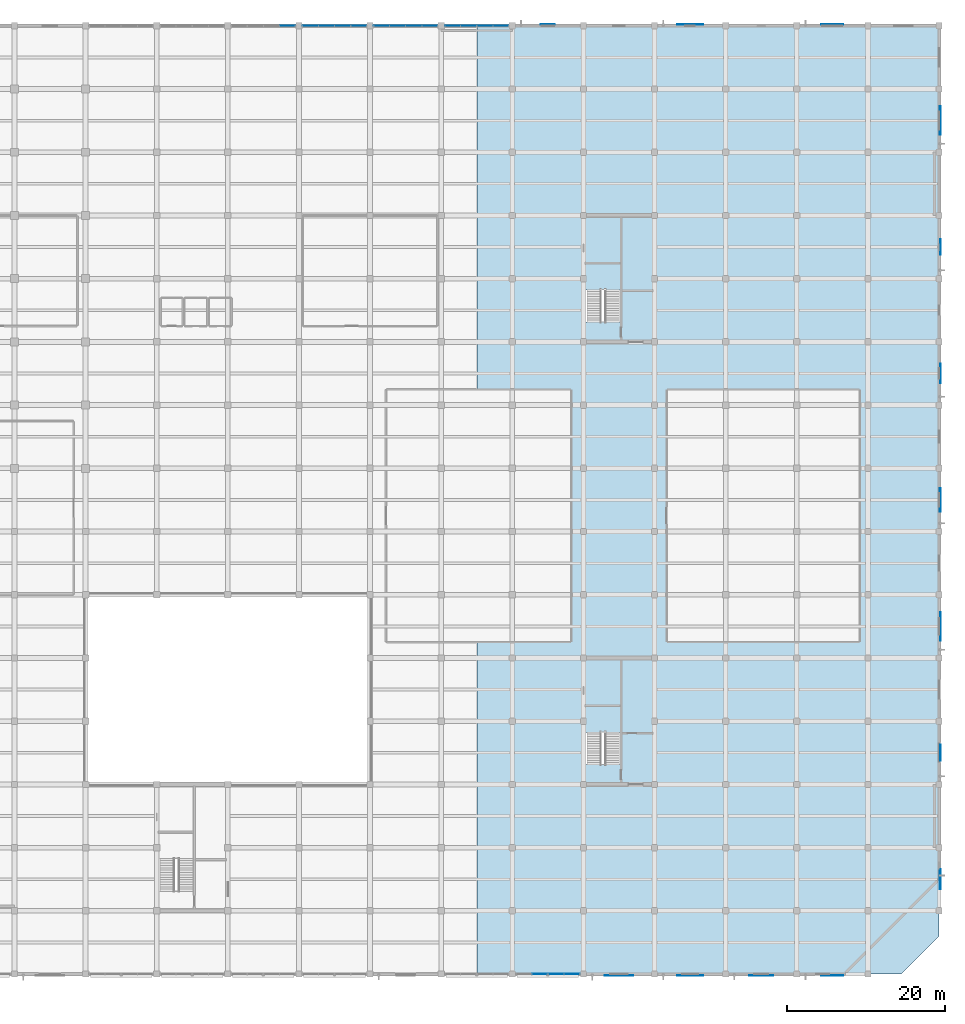
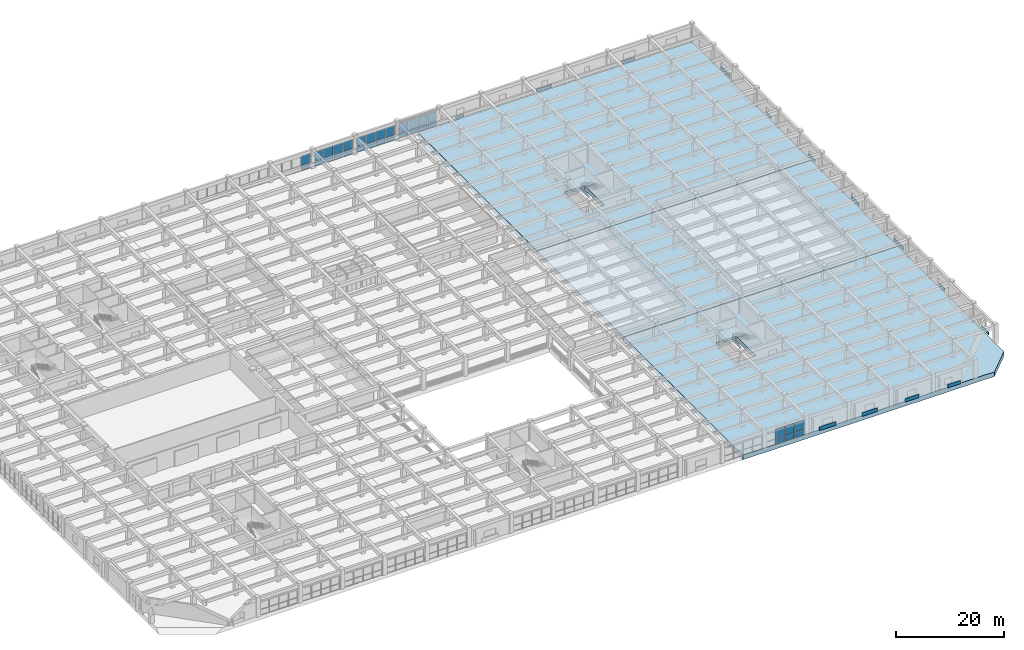
# One storey, part 24 of 50: 46 plates, 5 slabs, 7 elements without a shape of their own.
"""IFC4 building model written with IfcOpenShell, lengths in metres."""

from ifc_helpers import new_model, si_unit, direction, frame, frame_2d, origin, place, context, subcontext, project, spatial, polyline, rectangle, outline, extrude, material, layer, layer_set, type_object, element, aggregate, save


model = new_model("IFC4")

# Units and contexts
model_context = context("Model", 3, precision=1e-05, world=origin(), true_north=direction((0.0, 1.0)))
body_context = subcontext(model_context, "Body", "Model", "MODEL_VIEW")
ifc_project = project(units=[si_unit("LENGTHUNIT", "METRE"), si_unit("AREAUNIT", "SQUARE_METRE"), si_unit("VOLUMEUNIT", "CUBIC_METRE"), si_unit("PLANEANGLEUNIT", "RADIAN"), si_unit("MASSUNIT", "GRAM", prefix="KILO")], contexts=[model_context])

# Site, building, storey
site_placement = place(None, origin())
site = spatial("IfcSite", under=ifc_project, at=site_placement, CompositionType="ELEMENT")
building_placement = place(site_placement, origin())
building = spatial("IfcBuilding", under=site, at=building_placement, Name="Zaverband Oceanarium and Marine Research Institute", CompositionType="ELEMENT")
storey_placement = place(building_placement, frame((0.0, 0.0, 4.5)))
storey = spatial("IfcBuildingStorey", under=building, at=storey_placement, Name="L01", CompositionType="ELEMENT", Elevation=4.5)

# Curtain wall, plates
ifc_material_1 = material(Name="Thermally broken anodized aluminium and solar-control glass", Category="aluminium")
curtain_wall_type = type_object("IfcCurtainWallType", Name="CW-UNIT-1800", PredefinedType="NOTDEFINED", material=ifc_material_1)
curtain_wall_1_placement = place(storey_placement, origin())
curtain_wall_1 = element("IfcCurtainWall", 1, at=curtain_wall_1_placement, inside=storey, type_object=curtain_wall_type, Name="Unitised glazed curtain wall CW-022", PredefinedType="NOTDEFINED")
ifc_material_2 = material(Name="Low-E double-glazed solar-control glass", Category="glass")
ifc_layer_1 = layer(ifc_material_2, 0.033935546875, Name="Low-E double-glazed solar-control glass")
ifc_layer_set_1 = layer_set([ifc_layer_1], Name="Low-E double-glazed solar-control glass")
plate_type_1 = type_object("IfcPlateType", Name="CWP-1765x1211", PredefinedType="CURTAIN_PANEL", material=ifc_layer_set_1)
plate_1_placement = place(storey_placement, frame((128.532470703125, 0.0, 0.050048828125), z_axis=(0.0, 0.0, 1.0), x_axis=(1.0, 0.0, 0.0)))
plate_1 = element("IfcPlate", 2, at=plate_1_placement, type_object=plate_type_1, Name="Glazed curtain wall panel CWP-1765x1211", PredefinedType="CURTAIN_PANEL", context=body_context, shape_type="SweptSolid", body=[
    extrude(rectangle(XDim=1.887451171875, YDim=0.033935546875, at=frame_2d((0.94384765625, 0.0))), origin(), (0.0, 0.0, 1.0), 1.2109375),
])
plate_2_placement = place(storey_placement, frame((130.580078125, 0.0, 0.050048828125), z_axis=(0.0, 0.0, 1.0), x_axis=(1.0, 0.0, 0.0)))
plate_2 = element("IfcPlate", 3, at=plate_2_placement, type_object=plate_type_1, Name="Glazed curtain wall panel CWP-1765x1211", PredefinedType="CURTAIN_PANEL", context=body_context, shape_type="SweptSolid", body=[
    extrude(rectangle(XDim=1.887451171875, YDim=0.033935546875, at=frame_2d((0.94384765625, 0.0))), origin(), (0.0, 0.0, 1.0), 1.2109375),
])
plate_3_placement = place(storey_placement, frame((132.62744140625, 0.0, 0.050048828125), z_axis=(0.0, 0.0, 1.0), x_axis=(1.0, 0.0, 0.0)))
plate_3 = element("IfcPlate", 4, at=plate_3_placement, type_object=plate_type_1, Name="Glazed curtain wall panel CWP-1765x1211", PredefinedType="CURTAIN_PANEL", context=body_context, shape_type="SweptSolid", body=[
    extrude(rectangle(XDim=1.887451171875, YDim=0.033935546875, at=frame_2d((0.94384765625, 0.0))), origin(), (0.0, 0.0, 1.0), 1.2109375),
])

# Curtain wall, plate
curtain_wall_2_placement = place(storey_placement, origin())
curtain_wall_2 = element("IfcCurtainWall", 5, at=curtain_wall_2_placement, inside=storey, type_object=curtain_wall_type, Name="Unitised glazed curtain wall CW-025", PredefinedType="NOTDEFINED")
plate_4_placement = place(storey_placement, frame((96.62744140625, 120.0, 0.050048828125), z_axis=(0.0, 0.0, 1.0), x_axis=(1.0, 0.0, 0.0)))
plate_4 = element("IfcPlate", 6, at=plate_4_placement, type_object=plate_type_1, Name="Glazed curtain wall panel CWP-1765x1211", PredefinedType="CURTAIN_PANEL", context=body_context, shape_type="SweptSolid", body=[
    extrude(rectangle(XDim=1.887451171875, YDim=0.033935546875, at=frame_2d((0.94384765625, 0.0))), origin(), (0.0, 0.0, 1.0), 1.2109375),
])

# Curtain wall, plates
curtain_wall_3_placement = place(storey_placement, origin())
curtain_wall_3 = element("IfcCurtainWall", 7, at=curtain_wall_3_placement, inside=storey, type_object=curtain_wall_type, Name="Unitised glazed curtain wall CW-026", PredefinedType="NOTDEFINED")
plate_5_placement = place(storey_placement, frame((99.485107421875, 120.0, 0.050048828125), z_axis=(0.0, 0.0, 1.0), x_axis=(1.0, 0.0, 0.0)))
plate_5 = element("IfcPlate", 8, at=plate_5_placement, type_object=plate_type_1, Name="Glazed curtain wall panel CWP-1765x1211", PredefinedType="CURTAIN_PANEL", context=body_context, shape_type="SweptSolid", body=[
    extrude(rectangle(XDim=1.887451171875, YDim=0.033935546875, at=frame_2d((0.94384765625, 0.0))), origin(), (0.0, 0.0, 1.0), 1.2109375),
])
plate_6_placement = place(storey_placement, frame((101.532470703125, 120.0, 0.050048828125), z_axis=(0.0, 0.0, 1.0), x_axis=(1.0, 0.0, 0.0)))
plate_6 = element("IfcPlate", 9, at=plate_6_placement, type_object=plate_type_1, Name="Glazed curtain wall panel CWP-1765x1211", PredefinedType="CURTAIN_PANEL", context=body_context, shape_type="SweptSolid", body=[
    extrude(rectangle(XDim=1.887451171875, YDim=0.033935546875, at=frame_2d((0.94384765625, 0.0))), origin(), (0.0, 0.0, 1.0), 1.2109375),
])
plate_7_placement = place(storey_placement, frame((103.580078125, 120.0, 0.050048828125), z_axis=(0.0, 0.0, 1.0), x_axis=(1.0, 0.0, 0.0)))
plate_7 = element("IfcPlate", 10, at=plate_7_placement, type_object=plate_type_1, Name="Glazed curtain wall panel CWP-1765x1211", PredefinedType="CURTAIN_PANEL", context=body_context, shape_type="SweptSolid", body=[
    extrude(rectangle(XDim=1.887451171875, YDim=0.033935546875, at=frame_2d((0.94384765625, 0.0))), origin(), (0.0, 0.0, 1.0), 1.2109375),
])
plate_8_placement = place(storey_placement, frame((105.62744140625, 120.0, 0.050048828125), z_axis=(0.0, 0.0, 1.0), x_axis=(1.0, 0.0, 0.0)))
plate_8 = element("IfcPlate", 11, at=plate_8_placement, type_object=plate_type_1, Name="Glazed curtain wall panel CWP-1765x1211", PredefinedType="CURTAIN_PANEL", context=body_context, shape_type="SweptSolid", body=[
    extrude(rectangle(XDim=1.887451171875, YDim=0.033935546875, at=frame_2d((0.94384765625, 0.0))), origin(), (0.0, 0.0, 1.0), 1.2109375),
])

curtain_wall_4_placement = place(storey_placement, origin())
curtain_wall_4 = element("IfcCurtainWall", 12, at=curtain_wall_4_placement, inside=storey, type_object=curtain_wall_type, Name="Unitised glazed curtain wall CW-027", PredefinedType="NOTDEFINED")
plate_9_placement = place(storey_placement, frame((108.485107421875, 120.0, 0.050048828125), z_axis=(0.0, 0.0, 1.0), x_axis=(1.0, 0.0, 0.0)))
plate_9 = element("IfcPlate", 13, at=plate_9_placement, type_object=plate_type_1, Name="Glazed curtain wall panel CWP-1765x1211", PredefinedType="CURTAIN_PANEL", context=body_context, shape_type="SweptSolid", body=[
    extrude(rectangle(XDim=1.887451171875, YDim=0.033935546875, at=frame_2d((0.94384765625, 0.0))), origin(), (0.0, 0.0, 1.0), 1.2109375),
])
plate_10_placement = place(storey_placement, frame((110.532470703125, 120.0, 0.050048828125), z_axis=(0.0, 0.0, 1.0), x_axis=(1.0, 0.0, 0.0)))
plate_10 = element("IfcPlate", 14, at=plate_10_placement, type_object=plate_type_1, Name="Glazed curtain wall panel CWP-1765x1211", PredefinedType="CURTAIN_PANEL", context=body_context, shape_type="SweptSolid", body=[
    extrude(rectangle(XDim=1.887451171875, YDim=0.033935546875, at=frame_2d((0.94384765625, 0.0))), origin(), (0.0, 0.0, 1.0), 1.2109375),
])
plate_11_placement = place(storey_placement, frame((112.580078125, 120.0, 0.050048828125), z_axis=(0.0, 0.0, 1.0), x_axis=(1.0, 0.0, 0.0)))
plate_11 = element("IfcPlate", 15, at=plate_11_placement, type_object=plate_type_1, Name="Glazed curtain wall panel CWP-1765x1211", PredefinedType="CURTAIN_PANEL", context=body_context, shape_type="SweptSolid", body=[
    extrude(rectangle(XDim=1.887451171875, YDim=0.033935546875, at=frame_2d((0.94384765625, 0.0))), origin(), (0.0, 0.0, 1.0), 1.2109375),
])
plate_12_placement = place(storey_placement, frame((114.62744140625, 120.0, 0.050048828125), z_axis=(0.0, 0.0, 1.0), x_axis=(1.0, 0.0, 0.0)))
plate_12 = element("IfcPlate", 16, at=plate_12_placement, type_object=plate_type_1, Name="Glazed curtain wall panel CWP-1765x1211", PredefinedType="CURTAIN_PANEL", context=body_context, shape_type="SweptSolid", body=[
    extrude(rectangle(XDim=1.887451171875, YDim=0.033935546875, at=frame_2d((0.94384765625, 0.0))), origin(), (0.0, 0.0, 1.0), 1.2109375),
])

curtain_wall_5_placement = place(storey_placement, origin())
curtain_wall_5 = element("IfcCurtainWall", 17, at=curtain_wall_5_placement, inside=storey, type_object=curtain_wall_type, Name="Unitised glazed curtain wall CW-028", PredefinedType="NOTDEFINED")
plate_13_placement = place(storey_placement, frame((117.485107421875, 120.0, 0.050048828125), z_axis=(0.0, 0.0, 1.0), x_axis=(1.0, 0.0, 0.0)))
plate_13 = element("IfcPlate", 18, at=plate_13_placement, type_object=plate_type_1, Name="Glazed curtain wall panel CWP-1765x1211", PredefinedType="CURTAIN_PANEL", context=body_context, shape_type="SweptSolid", body=[
    extrude(rectangle(XDim=1.887451171875, YDim=0.033935546875, at=frame_2d((0.94384765625, 0.0))), origin(), (0.0, 0.0, 1.0), 1.2109375),
])
plate_14_placement = place(storey_placement, frame((119.532470703125, 120.0, 0.050048828125), z_axis=(0.0, 0.0, 1.0), x_axis=(1.0, 0.0, 0.0)))
plate_14 = element("IfcPlate", 19, at=plate_14_placement, type_object=plate_type_1, Name="Glazed curtain wall panel CWP-1765x1211", PredefinedType="CURTAIN_PANEL", context=body_context, shape_type="SweptSolid", body=[
    extrude(rectangle(XDim=1.887451171875, YDim=0.033935546875, at=frame_2d((0.94384765625, 0.0))), origin(), (0.0, 0.0, 1.0), 1.2109375),
])
plate_15_placement = place(storey_placement, frame((121.580078125, 120.0, 0.050048828125), z_axis=(0.0, 0.0, 1.0), x_axis=(1.0, 0.0, 0.0)))
plate_15 = element("IfcPlate", 20, at=plate_15_placement, type_object=plate_type_1, Name="Glazed curtain wall panel CWP-1765x1211", PredefinedType="CURTAIN_PANEL", context=body_context, shape_type="SweptSolid", body=[
    extrude(rectangle(XDim=1.887451171875, YDim=0.033935546875, at=frame_2d((0.94384765625, 0.0))), origin(), (0.0, 0.0, 1.0), 1.2109375),
])
plate_16_placement = place(storey_placement, frame((123.62744140625, 120.0, 0.050048828125), z_axis=(0.0, 0.0, 1.0), x_axis=(1.0, 0.0, 0.0)))
plate_16 = element("IfcPlate", 21, at=plate_16_placement, type_object=plate_type_1, Name="Glazed curtain wall panel CWP-1765x1211", PredefinedType="CURTAIN_PANEL", context=body_context, shape_type="SweptSolid", body=[
    extrude(rectangle(XDim=1.887451171875, YDim=0.033935546875, at=frame_2d((0.94384765625, 0.0))), origin(), (0.0, 0.0, 1.0), 1.2109375),
])

# Plate
ifc_layer_2 = layer(ifc_material_2, 0.035888671875, Name="Low-E double-glazed solar-control glass")
ifc_layer_set_2 = layer_set([ifc_layer_2], Name="Low-E double-glazed solar-control glass")
plate_type_2 = type_object("IfcPlateType", Name="CWP-1765x2089", PredefinedType="CURTAIN_PANEL", material=ifc_layer_set_2)
plate_17_placement = place(storey_placement, frame((128.532470703125, 0.0, 1.3310546875), z_axis=(0.0, 0.0, 1.0), x_axis=(1.0, 0.0, 0.0)))
plate_17 = element("IfcPlate", 22, at=plate_17_placement, type_object=plate_type_2, Name="Glazed curtain wall panel CWP-1765x2089", PredefinedType="CURTAIN_PANEL", context=body_context, shape_type="SweptSolid", body=[
    extrude(rectangle(XDim=1.887451171875, YDim=0.035888671875, at=frame_2d((0.94384765625, 0.0))), origin(), (0.0, 0.0, 1.0), 2.0888671875),
])

plate_18_placement = place(storey_placement, frame((130.580078125, 0.0, 1.3310546875), z_axis=(0.0, 0.0, 1.0), x_axis=(1.0, 0.0, 0.0)))
plate_18 = element("IfcPlate", 23, at=plate_18_placement, type_object=plate_type_2, Name="Glazed curtain wall panel CWP-1765x2089", PredefinedType="CURTAIN_PANEL", context=body_context, shape_type="SweptSolid", body=[
    extrude(rectangle(XDim=1.887451171875, YDim=0.035888671875, at=frame_2d((0.94384765625, 0.0))), origin(), (0.0, 0.0, 1.0), 2.0888671875),
])

plate_19_placement = place(storey_placement, frame((132.62744140625, 0.0, 1.3310546875), z_axis=(0.0, 0.0, 1.0), x_axis=(1.0, 0.0, 0.0)))
plate_19 = element("IfcPlate", 24, at=plate_19_placement, type_object=plate_type_2, Name="Glazed curtain wall panel CWP-1765x2089", PredefinedType="CURTAIN_PANEL", context=body_context, shape_type="SweptSolid", body=[
    extrude(rectangle(XDim=1.887451171875, YDim=0.035888671875, at=frame_2d((0.94384765625, 0.0))), origin(), (0.0, 0.0, 1.0), 2.0888671875),
])

aggregate(curtain_wall_1, [plate_1, plate_17, plate_2, plate_18, plate_3, plate_19])

plate_20_placement = place(storey_placement, frame((96.62744140625, 120.0, 1.3310546875), z_axis=(0.0, 0.0, 1.0), x_axis=(1.0, 0.0, 0.0)))
plate_20 = element("IfcPlate", 25, at=plate_20_placement, type_object=plate_type_2, Name="Glazed curtain wall panel CWP-1765x2089", PredefinedType="CURTAIN_PANEL", context=body_context, shape_type="SweptSolid", body=[
    extrude(rectangle(XDim=1.887451171875, YDim=0.035888671875, at=frame_2d((0.94384765625, 0.0))), origin(), (0.0, 0.0, 1.0), 2.0888671875),
])

aggregate(curtain_wall_2, [plate_4, plate_20])

plate_21_placement = place(storey_placement, frame((99.485107421875, 120.0, 1.3310546875), z_axis=(0.0, 0.0, 1.0), x_axis=(1.0, 0.0, 0.0)))
plate_21 = element("IfcPlate", 26, at=plate_21_placement, type_object=plate_type_2, Name="Glazed curtain wall panel CWP-1765x2089", PredefinedType="CURTAIN_PANEL", context=body_context, shape_type="SweptSolid", body=[
    extrude(rectangle(XDim=1.887451171875, YDim=0.035888671875, at=frame_2d((0.94384765625, 0.0))), origin(), (0.0, 0.0, 1.0), 2.0888671875),
])

plate_22_placement = place(storey_placement, frame((101.532470703125, 120.0, 1.3310546875), z_axis=(0.0, 0.0, 1.0), x_axis=(1.0, 0.0, 0.0)))
plate_22 = element("IfcPlate", 27, at=plate_22_placement, type_object=plate_type_2, Name="Glazed curtain wall panel CWP-1765x2089", PredefinedType="CURTAIN_PANEL", context=body_context, shape_type="SweptSolid", body=[
    extrude(rectangle(XDim=1.887451171875, YDim=0.035888671875, at=frame_2d((0.94384765625, 0.0))), origin(), (0.0, 0.0, 1.0), 2.0888671875),
])

plate_23_placement = place(storey_placement, frame((103.580078125, 120.0, 1.3310546875), z_axis=(0.0, 0.0, 1.0), x_axis=(1.0, 0.0, 0.0)))
plate_23 = element("IfcPlate", 28, at=plate_23_placement, type_object=plate_type_2, Name="Glazed curtain wall panel CWP-1765x2089", PredefinedType="CURTAIN_PANEL", context=body_context, shape_type="SweptSolid", body=[
    extrude(rectangle(XDim=1.887451171875, YDim=0.035888671875, at=frame_2d((0.94384765625, 0.0))), origin(), (0.0, 0.0, 1.0), 2.0888671875),
])

plate_24_placement = place(storey_placement, frame((105.62744140625, 120.0, 1.3310546875), z_axis=(0.0, 0.0, 1.0), x_axis=(1.0, 0.0, 0.0)))
plate_24 = element("IfcPlate", 29, at=plate_24_placement, type_object=plate_type_2, Name="Glazed curtain wall panel CWP-1765x2089", PredefinedType="CURTAIN_PANEL", context=body_context, shape_type="SweptSolid", body=[
    extrude(rectangle(XDim=1.887451171875, YDim=0.035888671875, at=frame_2d((0.94384765625, 0.0))), origin(), (0.0, 0.0, 1.0), 2.0888671875),
])

aggregate(curtain_wall_3, [plate_5, plate_21, plate_6, plate_22, plate_7, plate_23, plate_8, plate_24])

plate_25_placement = place(storey_placement, frame((108.485107421875, 120.0, 1.3310546875), z_axis=(0.0, 0.0, 1.0), x_axis=(1.0, 0.0, 0.0)))
plate_25 = element("IfcPlate", 30, at=plate_25_placement, type_object=plate_type_2, Name="Glazed curtain wall panel CWP-1765x2089", PredefinedType="CURTAIN_PANEL", context=body_context, shape_type="SweptSolid", body=[
    extrude(rectangle(XDim=1.887451171875, YDim=0.035888671875, at=frame_2d((0.94384765625, 0.0))), origin(), (0.0, 0.0, 1.0), 2.0888671875),
])

plate_26_placement = place(storey_placement, frame((110.532470703125, 120.0, 1.3310546875), z_axis=(0.0, 0.0, 1.0), x_axis=(1.0, 0.0, 0.0)))
plate_26 = element("IfcPlate", 31, at=plate_26_placement, type_object=plate_type_2, Name="Glazed curtain wall panel CWP-1765x2089", PredefinedType="CURTAIN_PANEL", context=body_context, shape_type="SweptSolid", body=[
    extrude(rectangle(XDim=1.887451171875, YDim=0.035888671875, at=frame_2d((0.94384765625, 0.0))), origin(), (0.0, 0.0, 1.0), 2.0888671875),
])

plate_27_placement = place(storey_placement, frame((112.580078125, 120.0, 1.3310546875), z_axis=(0.0, 0.0, 1.0), x_axis=(1.0, 0.0, 0.0)))
plate_27 = element("IfcPlate", 32, at=plate_27_placement, type_object=plate_type_2, Name="Glazed curtain wall panel CWP-1765x2089", PredefinedType="CURTAIN_PANEL", context=body_context, shape_type="SweptSolid", body=[
    extrude(rectangle(XDim=1.887451171875, YDim=0.035888671875, at=frame_2d((0.94384765625, 0.0))), origin(), (0.0, 0.0, 1.0), 2.0888671875),
])

plate_28_placement = place(storey_placement, frame((114.62744140625, 120.0, 1.3310546875), z_axis=(0.0, 0.0, 1.0), x_axis=(1.0, 0.0, 0.0)))
plate_28 = element("IfcPlate", 33, at=plate_28_placement, type_object=plate_type_2, Name="Glazed curtain wall panel CWP-1765x2089", PredefinedType="CURTAIN_PANEL", context=body_context, shape_type="SweptSolid", body=[
    extrude(rectangle(XDim=1.887451171875, YDim=0.035888671875, at=frame_2d((0.94384765625, 0.0))), origin(), (0.0, 0.0, 1.0), 2.0888671875),
])

aggregate(curtain_wall_4, [plate_9, plate_25, plate_10, plate_26, plate_11, plate_27, plate_12, plate_28])

plate_29_placement = place(storey_placement, frame((117.485107421875, 120.0, 1.3310546875), z_axis=(0.0, 0.0, 1.0), x_axis=(1.0, 0.0, 0.0)))
plate_29 = element("IfcPlate", 34, at=plate_29_placement, type_object=plate_type_2, Name="Glazed curtain wall panel CWP-1765x2089", PredefinedType="CURTAIN_PANEL", context=body_context, shape_type="SweptSolid", body=[
    extrude(rectangle(XDim=1.887451171875, YDim=0.035888671875, at=frame_2d((0.94384765625, 0.0))), origin(), (0.0, 0.0, 1.0), 2.0888671875),
])

plate_30_placement = place(storey_placement, frame((119.532470703125, 120.0, 1.3310546875), z_axis=(0.0, 0.0, 1.0), x_axis=(1.0, 0.0, 0.0)))
plate_30 = element("IfcPlate", 35, at=plate_30_placement, type_object=plate_type_2, Name="Glazed curtain wall panel CWP-1765x2089", PredefinedType="CURTAIN_PANEL", context=body_context, shape_type="SweptSolid", body=[
    extrude(rectangle(XDim=1.887451171875, YDim=0.035888671875, at=frame_2d((0.94384765625, 0.0))), origin(), (0.0, 0.0, 1.0), 2.0888671875),
])

plate_31_placement = place(storey_placement, frame((121.580078125, 120.0, 1.3310546875), z_axis=(0.0, 0.0, 1.0), x_axis=(1.0, 0.0, 0.0)))
plate_31 = element("IfcPlate", 36, at=plate_31_placement, type_object=plate_type_2, Name="Glazed curtain wall panel CWP-1765x2089", PredefinedType="CURTAIN_PANEL", context=body_context, shape_type="SweptSolid", body=[
    extrude(rectangle(XDim=1.887451171875, YDim=0.035888671875, at=frame_2d((0.94384765625, 0.0))), origin(), (0.0, 0.0, 1.0), 2.0888671875),
])

plate_32_placement = place(storey_placement, frame((123.62744140625, 120.0, 1.3310546875), z_axis=(0.0, 0.0, 1.0), x_axis=(1.0, 0.0, 0.0)))
plate_32 = element("IfcPlate", 37, at=plate_32_placement, type_object=plate_type_2, Name="Glazed curtain wall panel CWP-1765x2089", PredefinedType="CURTAIN_PANEL", context=body_context, shape_type="SweptSolid", body=[
    extrude(rectangle(XDim=1.887451171875, YDim=0.035888671875, at=frame_2d((0.94384765625, 0.0))), origin(), (0.0, 0.0, 1.0), 2.0888671875),
])

aggregate(curtain_wall_5, [plate_13, plate_29, plate_14, plate_30, plate_15, plate_31, plate_16, plate_32])

# Plates
ifc_material_3 = material(Name="Concrete C40/50 precast ochre", Category="concrete")
ifc_layer_3 = layer(ifc_material_3, 0.070068359375, Name="Concrete C40/50 precast ochre")
ifc_layer_set_3 = layer_set([ifc_layer_3], Name="Concrete C40/50 precast ochre")
plate_type_3 = type_object("IfcPlateType", Name="FRP-1750x700", PredefinedType="USERDEFINED", material=ifc_layer_set_3)
plate_33_placement = place(storey_placement, frame((129.625, 120.152587890625, 0.0), z_axis=(0.0, 0.0, 1.0), x_axis=(1.0, 0.0, 0.0)))
element("IfcPlate", 38, at=plate_33_placement, inside=storey, type_object=plate_type_3, Name="Geometric precast facade cladding panel FRP-1750x700", ObjectType="FLANGE_PLATE", PredefinedType="USERDEFINED", context=body_context, shape_type="SweptSolid", body=[
    extrude(rectangle(XDim=1.75, YDim=0.070068359375, at=frame_2d((0.875, 0.0))), origin(), (0.0, 0.0, 1.0), 0.699951171875),
])
ifc_layer_4 = layer(ifc_material_3, 0.070068359375, Name="Concrete C40/50 precast ochre")
ifc_layer_set_4 = layer_set([ifc_layer_4], Name="Concrete C40/50 precast ochre")
plate_type_4 = type_object("IfcPlateType", Name="FRP-2000x720", PredefinedType="USERDEFINED", material=ifc_layer_set_4)
for number, where, z_axis, x_axis, name in (
    (39, (180.1650390625, 27.0, 0.0), (0.0, 0.0, 1.0), (0.0, 1.0, 0.0), "Geometric precast facade cladding panel FRP-2000x720"),
    (40, (180.175048828125, 91.0, 0.0), (0.0, 0.0, 1.0), (0.0, 1.0, 0.0), "Geometric precast facade cladding panel FRP-2000x720"),
):
    element("IfcPlate", number, at=place(storey_placement, frame(where, z_axis=z_axis, x_axis=x_axis)), inside=storey, type_object=plate_type_4, Name=name, ObjectType="FLANGE_PLATE", PredefinedType="USERDEFINED", context=body_context, shape_type="SweptSolid", body=[
        extrude(rectangle(XDim=2.0, YDim=0.070068359375, at=frame_2d((1.0, 0.0))), origin(), (0.0, 0.0, 1.0), 0.719970703125),
    ])
ifc_layer_5 = layer(ifc_material_3, 0.074951171875, Name="Concrete C40/50 precast ochre")
ifc_layer_set_5 = layer_set([ifc_layer_5], Name="Concrete C40/50 precast ochre")
plate_type_5 = type_object("IfcPlateType", Name="FRP-2500x750", PredefinedType="USERDEFINED", material=ifc_layer_set_5)
for number, where, z_axis, x_axis, name in (
    (41, (180.155029296875, 10.75, 0.0), (0.0, 0.0, 1.0), (0.0, 1.0, 0.0), "Geometric precast facade cladding panel FRP-2500x750"),
    (42, (180.16748046875, 74.75, 0.0), (0.0, 0.0, 1.0), (0.0, 1.0, 0.0), "Geometric precast facade cladding panel FRP-2500x750"),
):
    element("IfcPlate", number, at=place(storey_placement, frame(where, z_axis=z_axis, x_axis=x_axis)), inside=storey, type_object=plate_type_5, Name=name, ObjectType="FLANGE_PLATE", PredefinedType="USERDEFINED", context=body_context, shape_type="SweptSolid", body=[
        extrude(rectangle(XDim=2.5, YDim=0.074951171875, at=frame_2d((1.25, 0.0))), origin(), (0.0, 0.0, 1.0), 0.75),
    ])
ifc_layer_6 = layer(ifc_material_3, 0.080078125, Name="Concrete C40/50 precast ochre")
ifc_layer_set_6 = layer_set([ifc_layer_6], Name="Concrete C40/50 precast ochre")
plate_type_6 = type_object("IfcPlateType", Name="FRP-2750x760", PredefinedType="USERDEFINED", material=ifc_layer_set_6)
for number, where, z_axis, x_axis, name in (
    (43, (165.125, -0.157470703125, 0.0), (0.0, 0.0, 1.0), (1.0, 0.0, 0.0), "Geometric precast facade cladding panel FRP-2750x760"),
    (44, (165.125, 120.157470703125, 0.0), (0.0, 0.0, 1.0), (1.0, 0.0, 0.0), "Geometric precast facade cladding panel FRP-2750x760"),
):
    element("IfcPlate", number, at=place(storey_placement, frame(where, z_axis=z_axis, x_axis=x_axis)), inside=storey, type_object=plate_type_6, Name=name, ObjectType="FLANGE_PLATE", PredefinedType="USERDEFINED", context=body_context, shape_type="SweptSolid", body=[
        extrude(rectangle(XDim=2.75, YDim=0.080078125, at=frame_2d((1.375, 0.0))), origin(), (0.0, 0.0, 1.0), 0.760009765625),
    ])
ifc_layer_7 = layer(ifc_material_3, 0.080078125, Name="Concrete C40/50 precast ochre")
ifc_layer_set_7 = layer_set([ifc_layer_7], Name="Concrete C40/50 precast ochre")
plate_type_7 = type_object("IfcPlateType", Name="FRP-3000x780", PredefinedType="USERDEFINED", material=ifc_layer_set_7)
for number, where, z_axis, x_axis, name in (
    (45, (156.0, -0.169921875, 0.0), (0.0, 0.0, 1.0), (1.0, 0.0, 0.0), "Geometric precast facade cladding panel FRP-3000x780"),
    (46, (180.157470703125, 58.5, 0.0), (0.0, 0.0, 1.0), (0.0, 1.0, 0.0), "Geometric precast facade cladding panel FRP-3000x780"),
):
    element("IfcPlate", number, at=place(storey_placement, frame(where, z_axis=z_axis, x_axis=x_axis)), inside=storey, type_object=plate_type_7, Name=name, ObjectType="FLANGE_PLATE", PredefinedType="USERDEFINED", context=body_context, shape_type="SweptSolid", body=[
        extrude(rectangle(XDim=3.0, YDim=0.080078125, at=frame_2d((1.5, 0.0))), origin(), (0.0, 0.0, 1.0), 0.780029296875),
    ])
ifc_layer_8 = layer(ifc_material_3, 0.0849609375, Name="Concrete C40/50 precast ochre")
ifc_layer_set_8 = layer_set([ifc_layer_8], Name="Concrete C40/50 precast ochre")
plate_type_8 = type_object("IfcPlateType", Name="FRP-3300x800", PredefinedType="USERDEFINED", material=ifc_layer_set_8)
for number, where, z_axis, x_axis, name in (
    (47, (146.85009765625, -0.1826171875, 0.0), (0.0, 0.0, 1.0), (1.0, 0.0, 0.0), "Geometric precast facade cladding panel FRP-3300x800"),
    (48, (146.85009765625, 120.1826171875, 0.0), (0.0, 0.0, 1.0), (1.0, 0.0, 0.0), "Geometric precast facade cladding panel FRP-3300x800"),
):
    element("IfcPlate", number, at=place(storey_placement, frame(where, z_axis=z_axis, x_axis=x_axis)), inside=storey, type_object=plate_type_8, Name=name, ObjectType="FLANGE_PLATE", PredefinedType="USERDEFINED", context=body_context, shape_type="SweptSolid", body=[
        extrude(rectangle(XDim=3.2998046875, YDim=0.0849609375, at=frame_2d((1.64990234375, 0.0))), origin(), (0.0, 0.0, 1.0), 0.800048828125),
    ])
ifc_layer_9 = layer(ifc_material_3, 0.0849609375, Name="Concrete C40/50 precast ochre")
ifc_layer_set_9 = layer_set([ifc_layer_9], Name="Concrete C40/50 precast ochre")
plate_type_9 = type_object("IfcPlateType", Name="FRP-3600x800", PredefinedType="USERDEFINED", material=ifc_layer_set_9)
for number, where, z_axis, x_axis, name in (
    (49, (137.699951171875, -0.197509765625, 0.0), (0.0, 0.0, 1.0), (1.0, 0.0, 0.0), "Geometric precast facade cladding panel FRP-3600x800"),
    (50, (180.1826171875, 42.199951171875, 0.0), (0.0, 0.0, 1.0), (0.0, 1.0, 0.0), "Geometric precast facade cladding panel FRP-3600x800"),
    (51, (180.159912109375, 106.199951171875, 0.0), (0.0, 0.0, 1.0), (0.0, 1.0, 0.0), "Geometric precast facade cladding panel FRP-3600x800"),
):
    element("IfcPlate", number, at=place(storey_placement, frame(where, z_axis=z_axis, x_axis=x_axis)), inside=storey, type_object=plate_type_9, Name=name, ObjectType="FLANGE_PLATE", PredefinedType="USERDEFINED", context=body_context, shape_type="SweptSolid", body=[
        extrude(rectangle(XDim=3.60009765625, YDim=0.0849609375, at=frame_2d((1.800048828125, 0.0))), origin(), (0.0, 0.0, 1.0), 0.800048828125),
    ])

# Stair, slab
ifc_material_4 = material(Name="Concrete C40/50", Category="concrete")
stair_type = type_object("IfcStairType", Name="STR-POD-1800-4500", PredefinedType="HALF_TURN_STAIR", material=ifc_material_4)
stair_1_placement = place(storey_placement, origin())
stair_1 = element("IfcStair", 52, at=stair_1_placement, inside=storey, type_object=stair_type, Name="Exit Stair ST-04 (L01)", PredefinedType="HALF_TURN_STAIR")
ifc_layer_10 = layer(ifc_material_4, 0.219970703125, Name="Concrete C40/50")
ifc_layer_set_10 = layer_set([ifc_layer_10], Name="Concrete C40/50")
slab_type_1 = type_object("IfcSlabType", Name="SLB-LND-220", PredefinedType="LANDING", material=ifc_layer_set_10)
slab_1_placement = place(storey_placement, frame((0.0, 0.0, 2.030029296875)))
slab_1 = element("IfcSlab", 53, at=slab_1_placement, type_object=slab_type_1, Name="Stair / ramp landing slab SLB-LND-220", PredefinedType="LANDING", context=body_context, shape_type="SweptSolid", body=[
    extrude(outline(polyline([(135.139892578125, 30.570068359375), (139.735107421875, 30.570068359375), (139.735107421875, 33.93505859375), (135.139892578125, 33.93505859375), (135.139892578125, 30.570068359375)])), origin(), (0.0, 0.0, 1.0), 0.219970703125),
])
aggregate(stair_1, [slab_1])

stair_2_placement = place(storey_placement, origin())
stair_2 = element("IfcStair", 54, at=stair_2_placement, inside=storey, type_object=stair_type, Name="Exit Stair ST-05 (L01)", PredefinedType="HALF_TURN_STAIR")
slab_2_placement = place(storey_placement, frame((0.0, 0.0, 2.030029296875)))
slab_2 = element("IfcSlab", 55, at=slab_2_placement, type_object=slab_type_1, Name="Stair / ramp landing slab SLB-LND-220", PredefinedType="LANDING", context=body_context, shape_type="SweptSolid", body=[
    extrude(outline(polyline([(135.139892578125, 86.570068359375), (139.735107421875, 86.570068359375), (139.735107421875, 89.93505859375), (135.139892578125, 89.93505859375), (135.139892578125, 86.570068359375)])), origin(), (0.0, 0.0, 1.0), 0.219970703125),
])
aggregate(stair_2, [slab_2])

# Slabs
ifc_material_5 = material(Name="Concrete C50/60", Category="concrete")
ifc_layer_11 = layer(ifc_material_5, 1.050048828125, Name="Concrete C50/60")
ifc_layer_set_11 = layer_set([ifc_layer_11], Name="Concrete C50/60")
slab_type_2 = type_object("IfcSlabType", Name="SLB-XFER-1050", PredefinedType="FLOOR", material=ifc_layer_set_11)
slab_3_placement = place(storey_placement, frame((0.0, 0.0, -1.050048828125)))
element("IfcSlab", 56, at=slab_3_placement, inside=storey, type_object=slab_type_2, Name="Heavy transfer slab SLB-XFER-1050", PredefinedType="FLOOR", context=body_context, shape_type="SweptSolid", body=[
    extrude(outline(polyline([(121.514892578125, 43.985107421875), (180.0, 43.985107421875), (180.0, 4.800048828125), (175.199951171875, 0.0), (121.514892578125, 0.0), (121.514892578125, 43.985107421875)]), holes=[polyline([(139.64990234375, 33.85009765625), (135.35009765625, 33.85009765625), (135.35009765625, 26.5), (139.64990234375, 26.5), (139.64990234375, 33.85009765625)])]), origin(), (0.0, 0.0, 1.0), 1.050048828125),
])
slab_4_placement = place(storey_placement, frame((0.0, 0.0, -1.050048828125)))
element("IfcSlab", 57, at=slab_4_placement, inside=storey, type_object=slab_type_2, Name="Heavy transfer slab SLB-XFER-1050", PredefinedType="FLOOR", context=body_context, shape_type="SweptSolid", body=[
    extrude(outline(polyline([(121.514892578125, 75.985107421875), (180.0, 75.985107421875), (180.0, 44.014892578125), (121.514892578125, 44.014892578125), (121.514892578125, 75.985107421875)])), origin(), (0.0, 0.0, 1.0), 1.050048828125),
])
slab_5_placement = place(storey_placement, frame((0.0, 0.0, -1.050048828125)))
element("IfcSlab", 58, at=slab_5_placement, inside=storey, type_object=slab_type_2, Name="Heavy transfer slab SLB-XFER-1050", PredefinedType="FLOOR", context=body_context, shape_type="SweptSolid", body=[
    extrude(outline(polyline([(121.514892578125, 120.0), (180.0, 120.0), (180.0, 76.014892578125), (121.514892578125, 76.014892578125), (121.514892578125, 120.0)]), holes=[polyline([(139.64990234375, 89.85009765625), (135.35009765625, 89.85009765625), (135.35009765625, 82.5), (139.64990234375, 82.5), (139.64990234375, 89.85009765625)])]), origin(), (0.0, 0.0, 1.0), 1.050048828125),
])

save(model, "model.ifc")
